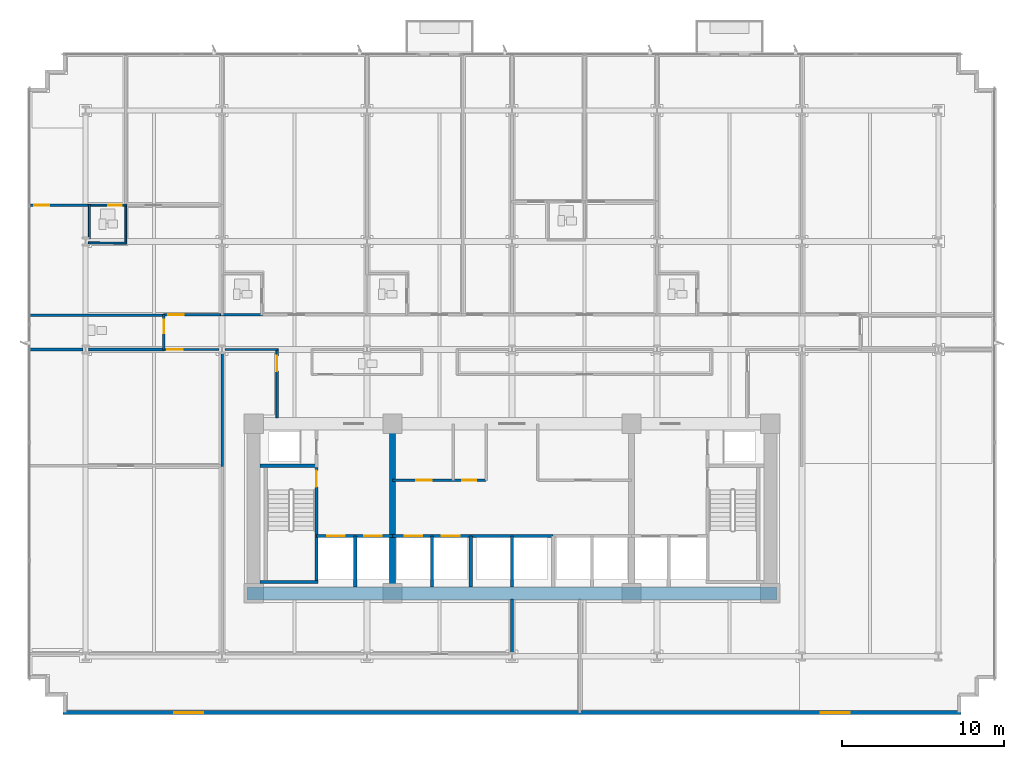
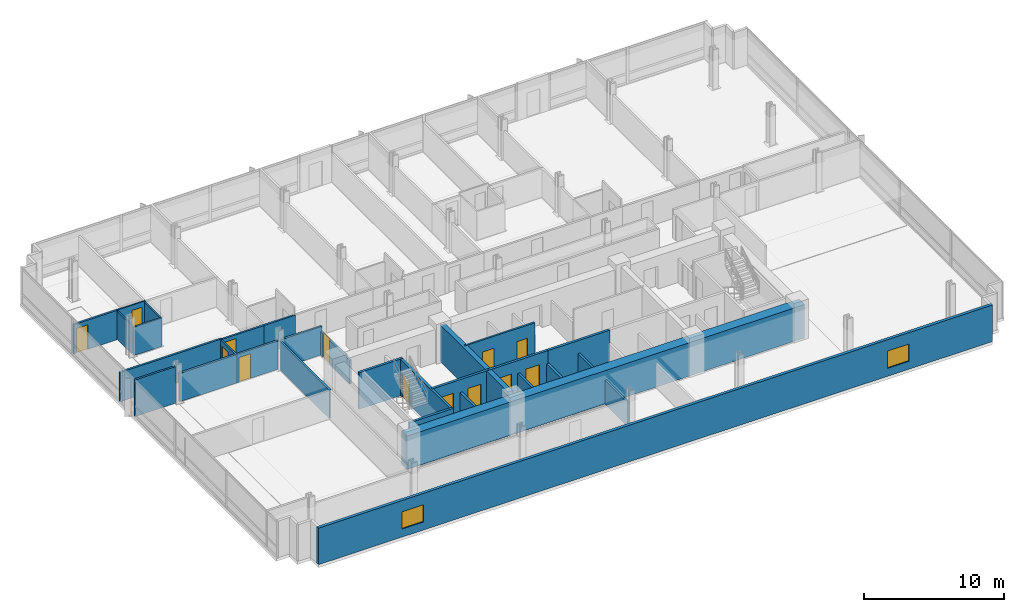
# One storey, part 8 of 15: 30 walls, 13 doors, 2 windows, 15 openings.
"""IFC4 building model written with IfcOpenShell, lengths in metres."""

from ifc_helpers import new_model, si_unit, direction, frame, frame_2d, origin, place, context, subcontext, project, spatial, rectangle, extrude, material, layer, layer_set, type_object, element, fill, save


model = new_model("IFC4")

# Units and contexts
model_context = context("Model", 3, precision=1e-05, world=origin(), true_north=direction((0.0, 1.0)))
body_context = subcontext(model_context, "Body", "Model", "MODEL_VIEW")
ifc_project = project(units=[si_unit("LENGTHUNIT", "METRE"), si_unit("AREAUNIT", "SQUARE_METRE"), si_unit("VOLUMEUNIT", "CUBIC_METRE"), si_unit("PLANEANGLEUNIT", "RADIAN"), si_unit("MASSUNIT", "GRAM", prefix="KILO")], contexts=[model_context])

# Site, building, storey
site_placement = place(None, origin())
site = spatial("IfcSite", under=ifc_project, at=site_placement, CompositionType="ELEMENT")
building_placement = place(site_placement, origin())
building = spatial("IfcBuilding", under=site, at=building_placement, Name="Solmavex Isthmus Hotel", CompositionType="ELEMENT")
storey_placement = place(building_placement, frame((0.0, 0.0, 33.300048828125)))
storey = spatial("IfcBuildingStorey", under=building, at=storey_placement, Name="L08", CompositionType="ELEMENT", Elevation=33.300048828125)

# Wall, openings, windows
ifc_material_1 = material(Name="Precast Concrete C40/50", Category="concrete")
ifc_layer_1 = layer(ifc_material_1, 0.25)
ifc_layer_set_1 = layer_set([ifc_layer_1], Name="Precast Concrete C40/50")
wall_type_1 = type_object("IfcWallType", Name="EW-TWR-250", PredefinedType="STANDARD", material=ifc_layer_set_1)
wall_1_placement = place(storey_placement, frame((-27.800048828125, -20.3798828125, 0.0), z_axis=(0.0, 0.0, 1.0), x_axis=(1.0, 0.0, 0.0)))
wall_1 = element("IfcWall", 1, at=wall_1_placement, inside=storey, type_object=wall_type_1, Name="Tower Rear South Facade Wall L08", PredefinedType="STANDARD", context=body_context, shape_type="SweptSolid", body=[
    extrude(rectangle(XDim=55.60009765625, YDim=0.239990234375, at=frame_2d((27.800048828125, 0.0))), origin(), (0.0, 0.0, 1.0), 3.18994140625),
])
opening_1_placement = place(wall_1_placement, frame((6.884033203125, 0.0, 0.699951171875)))
opening_1 = element("IfcOpeningElement", 2, at=opening_1_placement, cuts=wall_1, Name="Opening WN-02", PredefinedType="OPENING", context=body_context, shape_type="SweptSolid", body=[
    extrude(rectangle(XDim=1.800048828125, YDim=1.5, at=frame_2d((0.89990234375, 0.75))), frame((0.0, 0.1298828125, 0.0), z_axis=(0.0, -1.0, 0.0), x_axis=(1.0, 0.0, 0.0)), (0.0, 0.0, 1.0), 0.260009765625),
])
opening_2_placement = place(wall_1_placement, frame((46.916015625, 0.0, 0.699951171875)))
opening_2 = element("IfcOpeningElement", 3, at=opening_2_placement, cuts=wall_1, Name="Opening WN-02", PredefinedType="OPENING", context=body_context, shape_type="SweptSolid", body=[
    extrude(rectangle(XDim=1.800048828125, YDim=1.5, at=frame_2d((0.89990234375, 0.75))), frame((0.0, 0.1298828125, 0.0), z_axis=(0.0, -1.0, 0.0), x_axis=(1.0, 0.0, 0.0)), (0.0, 0.0, 1.0), 0.260009765625),
])
ifc_material_2 = material(Name="Clear low-E laminated glass", Category="glass")
window_type = type_object("IfcWindowType", Name="WIN-TWR-1800", PartitioningType="SINGLE_PANEL", PredefinedType="WINDOW", material=ifc_material_2)
window_1_placement = place(opening_1_placement, origin())
window_1 = element("IfcWindow", 4, at=window_1_placement, inside=storey, type_object=window_type, Name="South Facade Vision Window L08-S1", OverallHeight=1.5, OverallWidth=1.800048828125, PartitioningType="SINGLE_PANEL", PredefinedType="WINDOW", context=body_context, shape_type="SweptSolid", body=[
    extrude(rectangle(XDim=1.800048828125, YDim=1.5, at=frame_2d((0.89990234375, 0.75))), frame((0.0, 0.030029296875, 0.0), z_axis=(0.0, -1.0, 0.0), x_axis=(1.0, 0.0, 0.0)), (0.0, 0.0, 1.0), 0.06005859375),
])
fill(opening_1, window_1)
window_2_placement = place(opening_2_placement, origin())
window_2 = element("IfcWindow", 5, at=window_2_placement, inside=storey, type_object=window_type, Name="South Facade Vision Window L08-S2", OverallHeight=1.5, OverallWidth=1.800048828125, PartitioningType="SINGLE_PANEL", PredefinedType="WINDOW", context=body_context, shape_type="SweptSolid", body=[
    extrude(rectangle(XDim=1.800048828125, YDim=1.5, at=frame_2d((0.89990234375, 0.75))), frame((0.0, 0.030029296875, 0.0), z_axis=(0.0, -1.0, 0.0), x_axis=(1.0, 0.0, 0.0)), (0.0, 0.0, 1.0), 0.06005859375),
])
fill(opening_2, window_2)

# Wall, opening, door
ifc_material_3 = material(Name="Gypsum plasterboard lining", Category="gypsum")
ifc_layer_2 = layer(ifc_material_3, 0.159912109375)
ifc_layer_set_2 = layer_set([ifc_layer_2], Name="Gypsum plasterboard lining")
wall_type_2 = type_object("IfcWallType", Name="IW-COMP-160", PredefinedType="PARTITIONING", material=ifc_layer_set_2)
wall_2_placement = place(storey_placement, frame((-29.800048828125, 11.0380859375, 0.0), z_axis=(0.0, 0.0, 1.0), x_axis=(1.0, 0.0, 0.0)))
wall_2 = element("IfcWall", 6, at=wall_2_placement, inside=storey, type_object=wall_type_2, Name="Interior Partition Wall W-L08-P033", PredefinedType="PARTITIONING", context=body_context, shape_type="SweptSolid", body=[
    extrude(rectangle(XDim=3.674072265625, YDim=0.159912109375, at=frame_2d((1.8369140625, 0.0))), origin(), (0.0, 0.0, 1.0), 2.55322265625),
])
opening_3_placement = place(wall_2_placement, frame((0.2099609375, 0.0, 0.0)))
opening_3 = element("IfcOpeningElement", 7, at=opening_3_placement, cuts=wall_2, Name="Opening ID-C095", PredefinedType="OPENING", context=body_context, shape_type="SweptSolid", body=[
    extrude(rectangle(XDim=0.949951171875, YDim=2.14990234375, at=frame_2d((0.47509765625, 1.074951171875))), frame((0.0, 0.08984375, 0.0), z_axis=(0.0, -1.0, 0.0), x_axis=(1.0, 0.0, 0.0)), (0.0, 0.0, 1.0), 0.179931640625),
])
ifc_material_4 = material(Name="Hardwood timber", Category="wood")
door_type_1 = type_object("IfcDoorType", Name="IDR-FD60-0950", OperationType="NOTDEFINED", PredefinedType="DOOR", material=ifc_material_4)
door_1_placement = place(opening_3_placement, origin())
door_1 = element("IfcDoor", 8, at=door_1_placement, inside=storey, type_object=door_type_1, Name="Ambassador Panorama Suite Master Bedroom Door L08-02", OperationType="SINGLE_SWING_RIGHT", OverallHeight=2.14990234375, OverallWidth=0.949951171875, PredefinedType="DOOR", context=body_context, shape_type="SweptSolid", body=[
    extrude(rectangle(XDim=0.949951171875, YDim=2.14990234375, at=frame_2d((0.47509765625, 1.074951171875))), frame((0.0, 0.02490234375, 0.0), z_axis=(0.0, -1.0, 0.0), x_axis=(1.0, 0.0, 0.0)), (0.0, 0.0, 1.0), 0.050048828125),
])
fill(opening_3, door_1)

# Walls
wall_3_placement = place(storey_placement, frame((-21.511962890625, 4.22998046875, 0.0), z_axis=(0.0, 0.0, 1.0), x_axis=(-1.0, 0.0, 0.0)))
element("IfcWall", 9, at=wall_3_placement, inside=storey, type_object=wall_type_2, Name="Interior Partition Wall W-L08-P041", PredefinedType="PARTITIONING", context=body_context, shape_type="SweptSolid", body=[
    extrude(rectangle(XDim=8.407958984375, YDim=0.159912109375, at=frame_2d((4.2041015625, 0.0))), origin(), (0.0, 0.0, 1.0), 2.55322265625),
])
wall_4_placement = place(storey_placement, frame((-26.574951171875, 2.10009765625, 0.0), z_axis=(0.0, 0.0, 1.0), x_axis=(-1.0, 0.0, 0.0)))
element("IfcWall", 10, at=wall_4_placement, inside=storey, type_object=wall_type_2, Name="Interior Partition Wall W-L08-P077", PredefinedType="PARTITIONING", context=body_context, shape_type="SweptSolid", body=[
    extrude(rectangle(XDim=3.344970703125, YDim=0.159912109375, at=frame_2d((1.67236328125, 0.0))), origin(), (0.0, 0.0, 1.0), 3.18994140625),
])
wall_5_placement = place(storey_placement, frame((-21.511962890625, 2.10009765625, 0.0), z_axis=(0.0, 0.0, 1.0), x_axis=(-1.0, 0.0, 0.0)))
element("IfcWall", 11, at=wall_5_placement, inside=storey, type_object=wall_type_2, Name="Interior Partition Wall W-L08-P078", PredefinedType="PARTITIONING", context=body_context, shape_type="SweptSolid", body=[
    extrude(rectangle(XDim=4.713134765625, YDim=0.159912109375, at=frame_2d((2.3564453125, 0.0))), origin(), (0.0, 0.0, 1.0), 2.4794921875),
])
wall_6_placement = place(storey_placement, frame((-17.951904296875, 1.925048828125, 0.0), z_axis=(0.0, 0.0, 1.0), x_axis=(0.0, -1.0, 0.0)))
element("IfcWall", 12, at=wall_6_placement, inside=storey, type_object=wall_type_2, Name="Interior Partition Wall W-L08-P081", PredefinedType="PARTITIONING", context=body_context, shape_type="SweptSolid", body=[
    extrude(rectangle(XDim=7.06494140625, YDim=0.159912109375, at=frame_2d((3.532470703125, 0.0))), origin(), (0.0, 0.0, 1.0), 2.4794921875),
])
wall_7_placement = place(storey_placement, frame((0.0, -13.360107421875, 0.0), z_axis=(0.0, 0.0, 1.0), x_axis=(0.0, -1.0, 0.0)))
element("IfcWall", 13, at=wall_7_placement, inside=storey, type_object=wall_type_2, Name="Interior Partition Wall W-L08-P086", PredefinedType="PARTITIONING", context=body_context, shape_type="SweptSolid", body=[
    extrude(rectangle(XDim=3.364990234375, YDim=0.159912109375, at=frame_2d((1.6826171875, 0.0))), origin(), (0.0, 0.0, 1.0), 2.074951171875),
])

# Wall, openings, doors
ifc_layer_3 = layer(ifc_material_3, 0.14990234375)
ifc_layer_set_3 = layer_set([ifc_layer_3], Name="Gypsum plasterboard lining")
wall_type_3 = type_object("IfcWallType", Name="IW-CORR-150", PredefinedType="PARTITIONING", material=ifc_layer_set_3)
wall_8_placement = place(storey_placement, frame((-7.39990234375, -6.0, 0.0), z_axis=(0.0, 0.0, 1.0), x_axis=(1.0, 0.0, 0.0)))
wall_8 = element("IfcWall", 14, at=wall_8_placement, inside=storey, type_object=wall_type_3, Name="Interior Partition Wall W-L08-BOH-WS", PredefinedType="PARTITIONING", context=body_context, shape_type="SweptSolid", body=[
    extrude(rectangle(XDim=5.7998046875, YDim=0.14990234375, at=frame_2d((2.89990234375, 0.0))), origin(), (0.0, 0.0, 1.0), 3.18994140625),
])
opening_4_placement = place(wall_8_placement, frame((1.47509765625, 0.0, 0.0)))
opening_4 = element("IfcOpeningElement", 15, at=opening_4_placement, cuts=wall_8, Name="Opening ID-C095", PredefinedType="OPENING", context=body_context, shape_type="SweptSolid", body=[
    extrude(rectangle(XDim=0.949951171875, YDim=2.14990234375, at=frame_2d((0.47509765625, 1.074951171875))), frame((0.0, 0.0849609375, 0.0), z_axis=(0.0, -1.0, 0.0), x_axis=(1.0, 0.0, 0.0)), (0.0, 0.0, 1.0), 0.169921875),
])
opening_5_placement = place(wall_8_placement, frame((4.324951171875, 0.0, 0.0)))
opening_5 = element("IfcOpeningElement", 16, at=opening_5_placement, cuts=wall_8, Name="Opening ID-R085", PredefinedType="OPENING", context=body_context, shape_type="SweptSolid", body=[
    extrude(rectangle(XDim=0.85009765625, YDim=2.050048828125, at=frame_2d((0.425048828125, 1.02490234375))), frame((0.0, 0.0849609375, 0.0), z_axis=(0.0, -1.0, 0.0), x_axis=(1.0, 0.0, 0.0)), (0.0, 0.0, 1.0), 0.169921875),
])
ifc_material_5 = material(Name="Steel ASTM A500 Grade C", Category="steel")
door_type_2 = type_object("IfcDoorType", Name="IDR-FD60-0850", OperationType="NOTDEFINED", PredefinedType="DOOR", material=ifc_material_5)
door_2_placement = place(opening_5_placement, frame((0.85009765625, 0.0, 0.0), z_axis=(0.0, 0.0, 1.0), x_axis=(-1.0, 0.0, 0.0)))
door_2 = element("IfcDoor", 17, at=door_2_placement, inside=storey, type_object=door_type_2, Name="Cleaner Closet Door L08", OperationType="SINGLE_SWING_RIGHT", OverallHeight=2.050048828125, OverallWidth=0.85009765625, PredefinedType="DOOR", context=body_context, shape_type="SweptSolid", body=[
    extrude(rectangle(XDim=0.85009765625, YDim=2.050048828125, at=frame_2d((0.425048828125, 1.02490234375))), frame((0.0, 0.02490234375, 0.0), z_axis=(0.0, -1.0, 0.0), x_axis=(1.0, 0.0, 0.0)), (0.0, 0.0, 1.0), 0.050048828125),
])
fill(opening_5, door_2)
door_3_placement = place(opening_4_placement, frame((0.949951171875, 0.0, 0.0), z_axis=(0.0, 0.0, 1.0), x_axis=(-1.0, 0.0, 0.0)))
door_3 = element("IfcDoor", 18, at=door_3_placement, inside=storey, type_object=door_type_1, Name="Housekeeping Store Door L08", OperationType="SINGLE_SWING_LEFT", OverallHeight=2.14990234375, OverallWidth=0.949951171875, PredefinedType="DOOR", context=body_context, shape_type="SweptSolid", body=[
    extrude(rectangle(XDim=0.949951171875, YDim=2.14990234375, at=frame_2d((0.47509765625, 1.074951171875))), frame((0.0, 0.02490234375, 0.0), z_axis=(0.0, -1.0, 0.0), x_axis=(1.0, 0.0, 0.0)), (0.0, 0.0, 1.0), 0.050048828125),
])
fill(opening_4, door_3)

# Wall, opening, door
wall_9_placement = place(storey_placement, frame((-21.592041015625, 4.25, 0.0), z_axis=(0.0, 0.0, 1.0), x_axis=(1.0, 0.0, 0.0)))
wall_9 = element("IfcWall", 19, at=wall_9_placement, inside=storey, type_object=wall_type_3, Name="Interior Partition Wall W-L08-P001", PredefinedType="PARTITIONING", context=body_context, shape_type="SweptSolid", body=[
    extrude(rectangle(XDim=3.721923828125, YDim=0.14990234375, at=frame_2d((1.86083984375, 0.0))), origin(), (0.0, 0.0, 1.0), 2.4794921875),
])
opening_6_placement = place(wall_9_placement, frame((0.315185546875, 0.0, 0.0)))
opening_6 = element("IfcOpeningElement", 20, at=opening_6_placement, cuts=wall_9, Name="Opening ID-C095", PredefinedType="OPENING", context=body_context, shape_type="SweptSolid", body=[
    extrude(rectangle(XDim=0.949951171875, YDim=2.14990234375, at=frame_2d((0.47509765625, 1.074951171875))), frame((0.0, 0.0849609375, 0.0), z_axis=(0.0, -1.0, 0.0), x_axis=(1.0, 0.0, 0.0)), (0.0, 0.0, 1.0), 0.169921875),
])
door_4_placement = place(opening_6_placement, origin())
door_4 = element("IfcDoor", 21, at=door_4_placement, inside=storey, type_object=door_type_1, Name="Ambassador Panorama Suite Living Salon Door L08-01", OperationType="SINGLE_SWING_LEFT", OverallHeight=2.14990234375, OverallWidth=0.949951171875, PredefinedType="DOOR", context=body_context, shape_type="SweptSolid", body=[
    extrude(rectangle(XDim=0.949951171875, YDim=2.14990234375, at=frame_2d((0.47509765625, 1.074951171875))), frame((0.0, 0.02490234375, 0.0), z_axis=(0.0, -1.0, 0.0), x_axis=(1.0, 0.0, 0.0)), (0.0, 0.0, 1.0), 0.050048828125),
])
fill(opening_6, door_4)

# Wall
wall_10_placement = place(storey_placement, frame((-18.033935546875, 4.25, 0.0), z_axis=(0.0, 0.0, 1.0), x_axis=(1.0, 0.0, 0.0)))
element("IfcWall", 22, at=wall_10_placement, inside=storey, type_object=wall_type_3, Name="Interior Partition Wall W-L08-P003", PredefinedType="PARTITIONING", context=body_context, shape_type="SweptSolid", body=[
    extrude(rectangle(XDim=2.614013671875, YDim=0.14990234375, at=frame_2d((1.30712890625, 0.0))), origin(), (0.0, 0.0, 1.0), 2.4794921875),
])

# Wall, opening, door
wall_11_placement = place(storey_placement, frame((-21.552001953125, 2.06005859375, 0.0), z_axis=(0.0, 0.0, 1.0), x_axis=(0.0, 1.0, 0.0)))
wall_11 = element("IfcWall", 23, at=wall_11_placement, inside=storey, type_object=wall_type_3, Name="Interior Partition Wall W-L08-P017", PredefinedType="PARTITIONING", context=body_context, shape_type="SweptSolid", body=[
    extrude(rectangle(XDim=2.2099609375, YDim=0.14990234375, at=frame_2d((1.10498046875, 0.0))), origin(), (0.0, 0.0, 1.0), 2.4794921875),
])
opening_7_placement = place(wall_11_placement, frame((1.037841796875, 0.0, 0.0)))
opening_7 = element("IfcOpeningElement", 24, at=opening_7_placement, cuts=wall_11, Name="Opening ID-R085", PredefinedType="OPENING", context=body_context, shape_type="SweptSolid", body=[
    extrude(rectangle(XDim=0.85009765625, YDim=2.050048828125, at=frame_2d((0.425048828125, 1.02490234375))), frame((0.0, 0.0849609375, 0.0), z_axis=(0.0, -1.0, 0.0), x_axis=(1.0, 0.0, 0.0)), (0.0, 0.0, 1.0), 0.169921875),
])
door_5_placement = place(opening_7_placement, origin())
door_5 = element("IfcDoor", 25, at=door_5_placement, inside=storey, type_object=door_type_2, Name="Public Restroom WC Door L08-18", OperationType="SINGLE_SWING_RIGHT", OverallHeight=2.050048828125, OverallWidth=0.85009765625, PredefinedType="DOOR", context=body_context, shape_type="SweptSolid", body=[
    extrude(rectangle(XDim=0.85009765625, YDim=2.050048828125, at=frame_2d((0.425048828125, 1.02490234375))), frame((0.0, 0.02490234375, 0.0), z_axis=(0.0, -1.0, 0.0), x_axis=(1.0, 0.0, 0.0)), (0.0, 0.0, 1.0), 0.050048828125),
])
fill(opening_7, door_5)

wall_12_placement = place(storey_placement, frame((-18.126953125, 2.10009765625, 0.0), z_axis=(0.0, 0.0, 1.0), x_axis=(-1.0, 0.0, 0.0)))
wall_12 = element("IfcWall", 26, at=wall_12_placement, inside=storey, type_object=wall_type_3, Name="Interior Partition Wall W-L08-P027", PredefinedType="PARTITIONING", context=body_context, shape_type="SweptSolid", body=[
    extrude(rectangle(XDim=3.465087890625, YDim=0.14990234375, at=frame_2d((1.732421875, 0.0))), origin(), (0.0, 0.0, 1.0), 2.4794921875),
])
opening_8_placement = place(wall_12_placement, frame((2.252685546875, 0.0, 0.0)))
opening_8 = element("IfcOpeningElement", 27, at=opening_8_placement, cuts=wall_12, Name="Opening ID-C095", PredefinedType="OPENING", context=body_context, shape_type="SweptSolid", body=[
    extrude(rectangle(XDim=0.949951171875, YDim=2.14990234375, at=frame_2d((0.47509765625, 1.074951171875))), frame((0.0, 0.0849609375, 0.0), z_axis=(0.0, -1.0, 0.0), x_axis=(1.0, 0.0, 0.0)), (0.0, 0.0, 1.0), 0.169921875),
])
door_6_placement = place(opening_8_placement, origin())
door_6 = element("IfcDoor", 28, at=door_6_placement, inside=storey, type_object=door_type_1, Name="Club Reading Library Door L08-21", OperationType="SINGLE_SWING_LEFT", OverallHeight=2.14990234375, OverallWidth=0.949951171875, PredefinedType="DOOR", context=body_context, shape_type="SweptSolid", body=[
    extrude(rectangle(XDim=0.949951171875, YDim=2.14990234375, at=frame_2d((0.47509765625, 1.074951171875))), frame((0.0, 0.02490234375, 0.0), z_axis=(0.0, -1.0, 0.0), x_axis=(1.0, 0.0, 0.0)), (0.0, 0.0, 1.0), 0.050048828125),
])
fill(opening_8, door_6)

wall_13_placement = place(storey_placement, frame((-14.5439453125, -2.139892578125, 0.0), z_axis=(0.0, 0.0, 1.0), x_axis=(0.0, 1.0, 0.0)))
wall_13 = element("IfcWall", 29, at=wall_13_placement, inside=storey, type_object=wall_type_3, Name="Interior Partition Wall W-L08-P029", PredefinedType="PARTITIONING", context=body_context, shape_type="SweptSolid", body=[
    extrude(rectangle(XDim=4.27978515625, YDim=0.14990234375, at=frame_2d((2.139892578125, 0.0))), origin(), (0.0, 0.0, 1.0), 2.074951171875),
])
opening_9_placement = place(wall_13_placement, frame((2.89990234375, 0.0, 0.0)))
opening_9 = element("IfcOpeningElement", 30, at=opening_9_placement, cuts=wall_13, Name="Opening ID-C095", PredefinedType="OPENING", context=body_context, shape_type="SweptSolid", body=[
    extrude(rectangle(XDim=0.949951171875, YDim=2.14990234375, at=frame_2d((0.47509765625, 1.074951171875))), frame((0.0, 0.0849609375, 0.0), z_axis=(0.0, -1.0, 0.0), x_axis=(1.0, 0.0, 0.0)), (0.0, 0.0, 1.0), 0.169921875),
])
door_7_placement = place(opening_9_placement, frame((0.949951171875, 0.0, 0.0), z_axis=(0.0, 0.0, 1.0), x_axis=(-1.0, 0.0, 0.0)))
door_7 = element("IfcDoor", 31, at=door_7_placement, inside=storey, type_object=door_type_1, Name="Club Reading Library Door L08-23", OperationType="SINGLE_SWING_LEFT", OverallHeight=2.14990234375, OverallWidth=0.949951171875, PredefinedType="DOOR", context=body_context, shape_type="SweptSolid", body=[
    extrude(rectangle(XDim=0.949951171875, YDim=2.14990234375, at=frame_2d((0.47509765625, 1.074951171875))), frame((0.0, 0.02490234375, 0.0), z_axis=(0.0, -1.0, 0.0), x_axis=(1.0, 0.0, 0.0)), (0.0, 0.0, 1.0), 0.050048828125),
])
fill(opening_9, door_7)

# Walls
wall_14_placement = place(storey_placement, frame((-14.50390625, 2.10009765625, 0.0), z_axis=(0.0, 0.0, 1.0), x_axis=(-1.0, 0.0, 0.0)))
element("IfcWall", 32, at=wall_14_placement, inside=storey, type_object=wall_type_3, Name="Interior Partition Wall W-L08-P030", PredefinedType="PARTITIONING", context=body_context, shape_type="SweptSolid", body=[
    extrude(rectangle(XDim=3.273193359375, YDim=0.14990234375, at=frame_2d((1.63671875, 0.0))), origin(), (0.0, 0.0, 1.0), 2.4794921875),
])
ifc_layer_4 = layer(ifc_material_3, 0.1201171875)
ifc_layer_set_4 = layer_set([ifc_layer_4], Name="Gypsum plasterboard lining")
wall_type_4 = type_object("IfcWallType", Name="IW-PART-120", PredefinedType="PARTITIONING", material=ifc_layer_set_4)
wall_15_placement = place(storey_placement, frame((-26.166015625, 11.077880859375, 0.0), z_axis=(0.0, 0.0, 1.0), x_axis=(0.0, -1.0, 0.0)))
element("IfcWall", 33, at=wall_15_placement, inside=storey, type_object=wall_type_4, Name="Interior Partition Wall W-L08-P035", PredefinedType="PARTITIONING", context=body_context, shape_type="SweptSolid", body=[
    extrude(rectangle(XDim=2.114990234375, YDim=0.1201171875, at=frame_2d((1.0576171875, 0.0))), origin(), (0.0, 0.0, 1.0), 2.4794921875),
])
wall_16_placement = place(storey_placement, frame((-26.22509765625, 8.6982421875, 0.0), z_axis=(0.0, 0.0, 1.0), x_axis=(0.999990014503, -0.004468880755, 0.0)))
element("IfcWall", 34, at=wall_16_placement, inside=storey, type_object=wall_type_4, Name="Interior Partition Wall W-L08-P036", PredefinedType="PARTITIONING", context=body_context, shape_type="SweptSolid", body=[
    extrude(rectangle(XDim=2.34912109375, YDim=0.1201171875, at=frame_2d((1.174560546875, 0.0))), origin(), (0.0, 0.0, 1.0), 2.4794921875),
])
wall_17_placement = place(storey_placement, frame((-23.916015625, 8.64794921875, 0.0), z_axis=(0.0, 0.0, 1.0), x_axis=(0.0, 1.0, 0.0)))
element("IfcWall", 35, at=wall_17_placement, inside=storey, type_object=wall_type_4, Name="Interior Partition Wall W-L08-P037", PredefinedType="PARTITIONING", context=body_context, shape_type="SweptSolid", body=[
    extrude(rectangle(XDim=2.429931640625, YDim=0.1201171875, at=frame_2d((1.21484375, 0.0))), origin(), (0.0, 0.0, 1.0), 2.4794921875),
])

# Wall, opening, door
wall_18_placement = place(storey_placement, frame((-23.8759765625, 11.0380859375, 0.0), z_axis=(0.0, 0.0, 1.0), x_axis=(-1.0, 0.0, 0.0)))
wall_18 = element("IfcWall", 36, at=wall_18_placement, inside=storey, type_object=wall_type_4, Name="Interior Partition Wall W-L08-P043", PredefinedType="PARTITIONING", context=body_context, shape_type="SweptSolid", body=[
    extrude(rectangle(XDim=2.3720703125, YDim=0.1201171875, at=frame_2d((1.18603515625, 0.0))), origin(), (0.0, 0.0, 1.0), 2.55322265625),
])
opening_10_placement = place(wall_18_placement, frame((0.27978515625, 0.0, 0.0)))
opening_10 = element("IfcOpeningElement", 37, at=opening_10_placement, cuts=wall_18, Name="Opening ID-U085", PredefinedType="OPENING", context=body_context, shape_type="SweptSolid", body=[
    extrude(rectangle(XDim=0.85009765625, YDim=2.10009765625, at=frame_2d((0.425048828125, 1.050048828125))), frame((0.0, 0.070068359375, 0.0), z_axis=(0.0, -1.0, 0.0), x_axis=(1.0, 0.0, 0.0)), (0.0, 0.0, 1.0), 0.14013671875),
])
door_type_3 = type_object("IfcDoorType", Name="IDR-UNR-0850", OperationType="NOTDEFINED", PredefinedType="DOOR", material=ifc_material_4)
door_8_placement = place(opening_10_placement, frame((0.85009765625, 0.0, 0.0), z_axis=(0.0, 0.0, 1.0), x_axis=(-1.0, 0.0, 0.0)))
door_8 = element("IfcDoor", 38, at=door_8_placement, inside=storey, type_object=door_type_3, Name="En-suite Bathroom Door L08-04", OperationType="SINGLE_SWING_RIGHT", OverallHeight=2.10009765625, OverallWidth=0.85009765625, PredefinedType="DOOR", context=body_context, shape_type="SweptSolid", body=[
    extrude(rectangle(XDim=0.85009765625, YDim=2.10009765625, at=frame_2d((0.425048828125, 1.050048828125))), frame((0.0, 0.02490234375, 0.0), z_axis=(0.0, -1.0, 0.0), x_axis=(1.0, 0.0, 0.0)), (0.0, 0.0, 1.0), 0.050048828125),
])
fill(opening_10, door_8)

# Walls
ifc_material_6 = material(Name="Concrete C40/50", Category="concrete")
ifc_layer_5 = layer(ifc_material_6, 0.179931640625)
ifc_layer_set_5 = layer_set([ifc_layer_5], Name="Concrete C40/50")
wall_type_5 = type_object("IfcWallType", Name="IW-SHAFT-180", PredefinedType="PARTITIONING", material=ifc_layer_set_5)
for number, where, z_axis, x_axis, name in (
    (39, (-4.949951171875, -12.60009765625, 0.0), (0.0, 0.0, 1.0), (0.0, 1.0, 0.0), "Interior Partition Wall W-L08-SH-PLL-M"),
    (40, (0.0, -12.60009765625, 0.0), (0.0, 0.0, 1.0), (0.0, 1.0, 0.0), "Interior Partition Wall W-L08-SH-PLM-M"),
):
    element("IfcWall", number, at=place(storey_placement, frame(where, z_axis=z_axis, x_axis=x_axis)), inside=storey, type_object=wall_type_5, Name=name, PredefinedType="PARTITIONING", context=body_context, shape_type="SweptSolid", body=[
        extrude(rectangle(XDim=3.150146484375, YDim=0.179931640625, at=frame_2d((1.5751953125, 0.0))), origin(), (0.0, 0.0, 1.0), 2.074951171875),
    ])

# Wall, openings, doors
ifc_layer_6 = layer(ifc_material_6, 0.199951171875)
ifc_layer_set_6 = layer_set([ifc_layer_6], Name="Concrete C40/50")
wall_type_6 = type_object("IfcWallType", Name="IW-SHAFT-200", PredefinedType="PARTITIONING", material=ifc_layer_set_6)
wall_19_placement = place(storey_placement, frame((-12.10009765625, -9.449951171875, 0.0), z_axis=(0.0, 0.0, 1.0), x_axis=(1.0, 0.0, 0.0)))
wall_19 = element("IfcWall", 41, at=wall_19_placement, inside=storey, type_object=wall_type_6, Name="Interior Partition Wall W-L08-FFLW-S", PredefinedType="PARTITIONING", context=body_context, shape_type="SweptSolid", body=[
    extrude(rectangle(XDim=4.7001953125, YDim=0.199951171875, at=frame_2d((2.35009765625, 0.0))), origin(), (0.0, 0.0, 1.0), 3.18994140625),
])
opening_11_placement = place(wall_19_placement, frame((0.64990234375, 0.0, 0.0)))
opening_11 = element("IfcOpeningElement", 42, at=opening_11_placement, cuts=wall_19, Name="Opening LD-FF", PredefinedType="OPENING", context=body_context, shape_type="SweptSolid", body=[
    extrude(rectangle(XDim=1.10009765625, YDim=2.199951171875, at=frame_2d((0.550048828125, 1.10009765625))), frame((0.0, 0.10986328125, 0.0), z_axis=(0.0, -1.0, 0.0), x_axis=(1.0, 0.0, 0.0)), (0.0, 0.0, 1.0), 0.219970703125),
])
opening_12_placement = place(wall_19_placement, frame((2.949951171875, 0.0, 0.0)))
opening_12 = element("IfcOpeningElement", 43, at=opening_12_placement, cuts=wall_19, Name="Opening LD-SV", PredefinedType="OPENING", context=body_context, shape_type="SweptSolid", body=[
    extrude(rectangle(XDim=1.10009765625, YDim=2.199951171875, at=frame_2d((0.550048828125, 1.10009765625))), frame((0.0, 0.10986328125, 0.0), z_axis=(0.0, -1.0, 0.0), x_axis=(1.0, 0.0, 0.0)), (0.0, 0.0, 1.0), 0.219970703125),
])
ifc_material_7 = material(Name="Stainless steel 316", Category="steel")
door_type_4 = type_object("IfcDoorType", Name="LDR-FF-1100", OperationType="NOTDEFINED", PredefinedType="DOOR", material=ifc_material_7)
door_9_placement = place(opening_11_placement, origin())
door_9 = element("IfcDoor", 44, at=door_9_placement, inside=storey, type_object=door_type_4, Name="Lift Landing Door FFL-1 L08", OperationType="SLIDING_TO_LEFT", OverallHeight=2.199951171875, OverallWidth=1.10009765625, PredefinedType="DOOR", context=body_context, shape_type="SweptSolid", body=[
    extrude(rectangle(XDim=1.10009765625, YDim=2.199951171875, at=frame_2d((0.550048828125, 1.10009765625))), frame((0.0, 0.02490234375, 0.0), z_axis=(0.0, -1.0, 0.0), x_axis=(1.0, 0.0, 0.0)), (0.0, 0.0, 1.0), 0.050048828125),
])
fill(opening_11, door_9)
door_type_5 = type_object("IfcDoorType", Name="LDR-SV-1100", OperationType="NOTDEFINED", PredefinedType="DOOR", material=ifc_material_7)
door_10_placement = place(opening_12_placement, origin())
door_10 = element("IfcDoor", 45, at=door_10_placement, inside=storey, type_object=door_type_5, Name="Lift Landing Door SVL-1 L08", OperationType="SLIDING_TO_RIGHT", OverallHeight=2.199951171875, OverallWidth=1.10009765625, PredefinedType="DOOR", context=body_context, shape_type="SweptSolid", body=[
    extrude(rectangle(XDim=1.10009765625, YDim=2.199951171875, at=frame_2d((0.550048828125, 1.10009765625))), frame((0.0, 0.02490234375, 0.0), z_axis=(0.0, -1.0, 0.0), x_axis=(1.0, 0.0, 0.0)), (0.0, 0.0, 1.0), 0.050048828125),
])
fill(opening_12, door_10)

# Wall
wall_20_placement = place(storey_placement, frame((-9.699951171875, -12.60009765625, 0.0), z_axis=(0.0, 0.0, 1.0), x_axis=(0.0, 1.0, 0.0)))
element("IfcWall", 46, at=wall_20_placement, inside=storey, type_object=wall_type_6, Name="Interior Partition Wall W-L08-FFLW-M", PredefinedType="PARTITIONING", context=body_context, shape_type="SweptSolid", body=[
    extrude(rectangle(XDim=3.150146484375, YDim=0.199951171875, at=frame_2d((1.5751953125, 0.0))), origin(), (0.0, 0.0, 1.0), 2.074951171875),
])

# Wall, openings, doors
wall_21_placement = place(storey_placement, frame((-7.39990234375, -9.449951171875, 0.0), z_axis=(0.0, 0.0, 1.0), x_axis=(1.0, 0.0, 0.0)))
wall_21 = element("IfcWall", 47, at=wall_21_placement, inside=storey, type_object=wall_type_6, Name="Interior Partition Wall W-L08-SH-PLL", PredefinedType="PARTITIONING", context=body_context, shape_type="SweptSolid", body=[
    extrude(rectangle(XDim=4.849853515625, YDim=0.199951171875, at=frame_2d((2.4248046875, 0.0))), origin(), (0.0, 0.0, 1.0), 3.18994140625),
])
opening_13_placement = place(wall_21_placement, frame((0.75, 0.0, 0.0)))
opening_13 = element("IfcOpeningElement", 48, at=opening_13_placement, cuts=wall_21, Name="Opening LD-PL", PredefinedType="OPENING", context=body_context, shape_type="SweptSolid", body=[
    extrude(rectangle(XDim=1.10009765625, YDim=2.199951171875, at=frame_2d((0.550048828125, 1.10009765625))), frame((0.0, 0.10986328125, 0.0), z_axis=(0.0, -1.0, 0.0), x_axis=(1.0, 0.0, 0.0)), (0.0, 0.0, 1.0), 0.219970703125),
])
opening_14_placement = place(wall_21_placement, frame((3.050048828125, 0.0, 0.0)))
opening_14 = element("IfcOpeningElement", 49, at=opening_14_placement, cuts=wall_21, Name="Opening LD-PL", PredefinedType="OPENING", context=body_context, shape_type="SweptSolid", body=[
    extrude(rectangle(XDim=1.10009765625, YDim=2.199951171875, at=frame_2d((0.550048828125, 1.10009765625))), frame((0.0, 0.10986328125, 0.0), z_axis=(0.0, -1.0, 0.0), x_axis=(1.0, 0.0, 0.0)), (0.0, 0.0, 1.0), 0.219970703125),
])
door_type_6 = type_object("IfcDoorType", Name="LDR-PL-1100", OperationType="NOTDEFINED", PredefinedType="DOOR", material=ifc_material_7)
door_11_placement = place(opening_13_placement, origin())
door_11 = element("IfcDoor", 50, at=door_11_placement, inside=storey, type_object=door_type_6, Name="Lift Landing Door PLL1 L08", OperationType="SLIDING_TO_LEFT", OverallHeight=2.199951171875, OverallWidth=1.10009765625, PredefinedType="DOOR", context=body_context, shape_type="SweptSolid", body=[
    extrude(rectangle(XDim=1.10009765625, YDim=2.199951171875, at=frame_2d((0.550048828125, 1.10009765625))), frame((0.0, 0.02490234375, 0.0), z_axis=(0.0, -1.0, 0.0), x_axis=(1.0, 0.0, 0.0)), (0.0, 0.0, 1.0), 0.050048828125),
])
fill(opening_13, door_11)
door_12_placement = place(opening_14_placement, origin())
door_12 = element("IfcDoor", 51, at=door_12_placement, inside=storey, type_object=door_type_6, Name="Lift Landing Door PLL2 L08", OperationType="SLIDING_TO_LEFT", OverallHeight=2.199951171875, OverallWidth=1.10009765625, PredefinedType="DOOR", context=body_context, shape_type="SweptSolid", body=[
    extrude(rectangle(XDim=1.10009765625, YDim=2.199951171875, at=frame_2d((0.550048828125, 1.10009765625))), frame((0.0, 0.02490234375, 0.0), z_axis=(0.0, -1.0, 0.0), x_axis=(1.0, 0.0, 0.0)), (0.0, 0.0, 1.0), 0.050048828125),
])
fill(opening_14, door_12)

# Walls
wall_22_placement = place(storey_placement, frame((-2.550048828125, -12.60009765625, 0.0), z_axis=(0.0, 0.0, 1.0), x_axis=(0.0, 1.0, 0.0)))
element("IfcWall", 52, at=wall_22_placement, inside=storey, type_object=wall_type_6, Name="Interior Partition Wall W-L08-SH-PLL-E", PredefinedType="PARTITIONING", context=body_context, shape_type="SweptSolid", body=[
    extrude(rectangle(XDim=3.150146484375, YDim=0.199951171875, at=frame_2d((1.5751953125, 0.0))), origin(), (0.0, 0.0, 1.0), 2.074951171875),
])
wall_23_placement = place(storey_placement, frame((-2.550048828125, -9.449951171875, 0.0), z_axis=(0.0, 0.0, 1.0), x_axis=(1.0, 0.0, 0.0)))
element("IfcWall", 53, at=wall_23_placement, inside=storey, type_object=wall_type_6, Name="Interior Partition Wall W-L08-SH-PLM", PredefinedType="PARTITIONING", context=body_context, shape_type="SweptSolid", body=[
    extrude(rectangle(XDim=5.10009765625, YDim=0.199951171875, at=frame_2d((2.550048828125, 0.0))), origin(), (0.0, 0.0, 1.0), 3.18994140625),
])
ifc_material_8 = material(Name="Concrete C70/85", Category="concrete")
ifc_layer_7 = layer(ifc_material_8, 0.39990234375)
ifc_layer_set_7 = layer_set([ifc_layer_7], Name="Concrete C70/85")
wall_type_7 = type_object("IfcWallType", Name="WALL-CW-400L", PredefinedType="SHEAR", material=ifc_layer_set_7)
wall_24_placement = place(storey_placement, frame((-7.39990234375, -12.60009765625, 0.0), z_axis=(0.0, 0.0, 1.0), x_axis=(0.0, 1.0, 0.0)))
element("IfcWall", 54, at=wall_24_placement, inside=storey, type_object=wall_type_7, Name="Core Cross Shear Wall C1 L08", PredefinedType="SHEAR", context=body_context, shape_type="SweptSolid", body=[
    extrude(rectangle(XDim=9.7001953125, YDim=0.39990234375, at=frame_2d((4.85009765625, 0.0))), origin(), (0.0, 0.0, 1.0), 3.18994140625),
])
ifc_layer_8 = layer(ifc_material_8, 0.800048828125)
ifc_layer_set_8 = layer_set([ifc_layer_8], Name="Concrete C70/85")
wall_type_8 = type_object("IfcWallType", Name="WALL-CW-800", PredefinedType="SHEAR", material=ifc_layer_set_8)
wall_25_placement = place(storey_placement, frame((-16.39990234375, -13.0, 0.0), z_axis=(0.0, 0.0, 1.0), x_axis=(1.0, 0.0, 0.0)))
element("IfcWall", 55, at=wall_25_placement, inside=storey, type_object=wall_type_8, Name="Core Shear Wall South L08", PredefinedType="SHEAR", context=body_context, shape_type="SweptSolid", body=[
    extrude(rectangle(XDim=32.7998046875, YDim=0.800048828125, at=frame_2d((16.39990234375, 0.0))), origin(), (0.0, 0.0, 1.0), 2.909912109375),
])
ifc_layer_9 = layer(ifc_material_6, 0.199951171875)
ifc_layer_set_9 = layer_set([ifc_layer_9], Name="Concrete C40/50")
wall_type_9 = type_object("IfcWallType", Name="WALL-SW-200", PredefinedType="SOLIDWALL", material=ifc_layer_set_9)
for number, where, z_axis, x_axis, name in (
    (56, (-15.60009765625, -12.300048828125, 0.0), (0.0, 0.0, 1.0), (1.0, 0.0, 0.0), "Stairwell Structural Wall SW-L08-ST1-S"),
    (57, (-15.60009765625, -5.10009765625, 0.0), (0.0, 0.0, 1.0), (1.0, 0.0, 0.0), "Stairwell Structural Wall SW-L08-ST1-N"),
):
    element("IfcWall", number, at=place(storey_placement, frame(where, z_axis=z_axis, x_axis=x_axis)), inside=storey, type_object=wall_type_9, Name=name, PredefinedType="SOLIDWALL", context=body_context, shape_type="SweptSolid", body=[
        extrude(rectangle(XDim=3.60009765625, YDim=0.199951171875, at=frame_2d((1.800048828125, 0.0))), origin(), (0.0, 0.0, 1.0), 3.18994140625),
    ])

# Wall, opening, door
wall_26_placement = place(storey_placement, frame((-12.10009765625, -12.199951171875, 0.0), z_axis=(0.0, 0.0, 1.0), x_axis=(0.0, 1.0, 0.0)))
wall_26 = element("IfcWall", 58, at=wall_26_placement, inside=storey, type_object=wall_type_9, Name="Stairwell Structural Wall SW-L08-ST1-E", PredefinedType="SOLIDWALL", context=body_context, shape_type="SweptSolid", body=[
    extrude(rectangle(XDim=7.0, YDim=0.199951171875, at=frame_2d((3.5, 0.0))), origin(), (0.0, 0.0, 1.0), 3.18994140625),
])
opening_15_placement = place(wall_26_placement, frame((5.800048828125, 0.0, 0.0)))
opening_15 = element("IfcOpeningElement", 59, at=opening_15_placement, cuts=wall_26, Name="Opening ID-F100", PredefinedType="OPENING", context=body_context, shape_type="SweptSolid", body=[
    extrude(rectangle(XDim=1.0, YDim=2.10009765625, at=frame_2d((0.5, 1.050048828125))), frame((0.0, 0.10986328125, 0.0), z_axis=(0.0, -1.0, 0.0), x_axis=(1.0, 0.0, 0.0)), (0.0, 0.0, 1.0), 0.219970703125),
])
door_type_7 = type_object("IfcDoorType", Name="IDR-FD90-1000", OperationType="NOTDEFINED", PredefinedType="DOOR", material=ifc_material_5)
door_13_placement = place(opening_15_placement, frame((1.0, 0.0, 0.0), z_axis=(0.0, 0.0, 1.0), x_axis=(-1.0, 0.0, 0.0)))
door_13 = element("IfcDoor", 60, at=door_13_placement, inside=storey, type_object=door_type_7, Name="Stair ST-1 Fire Door L08", OperationType="SINGLE_SWING_LEFT", OverallHeight=2.10009765625, OverallWidth=1.0, PredefinedType="DOOR", context=body_context, shape_type="SweptSolid", body=[
    extrude(rectangle(XDim=1.0, YDim=2.10009765625, at=frame_2d((0.5, 1.050048828125))), frame((0.0, 0.02490234375, 0.0), z_axis=(0.0, -1.0, 0.0), x_axis=(1.0, 0.0, 0.0)), (0.0, 0.0, 1.0), 0.050048828125),
])
fill(opening_15, door_13)

save(model, "model.ifc")
